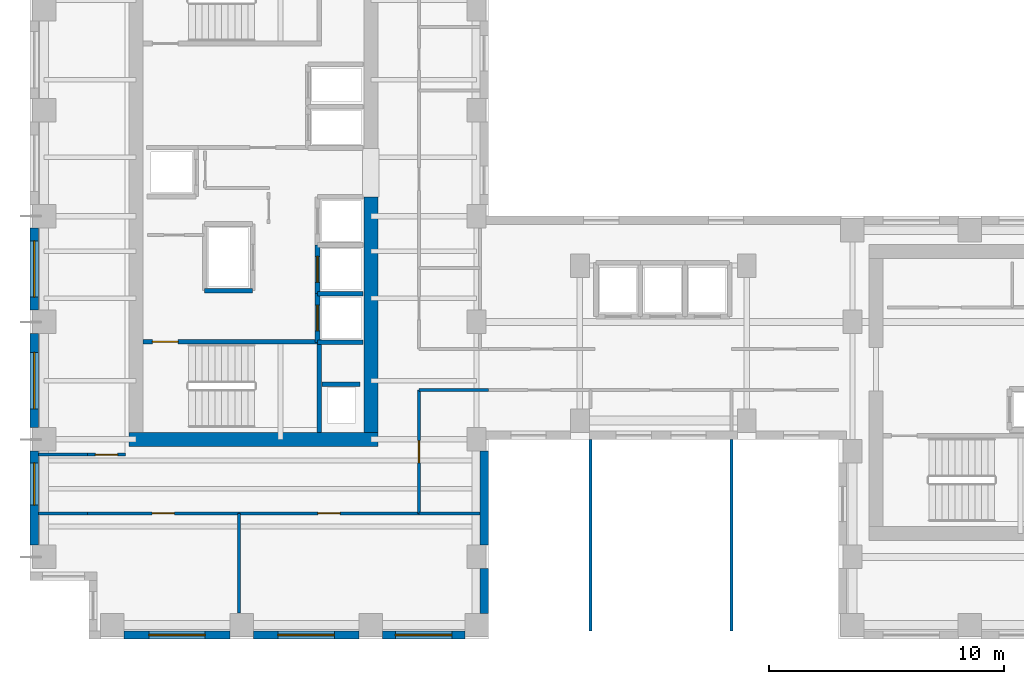
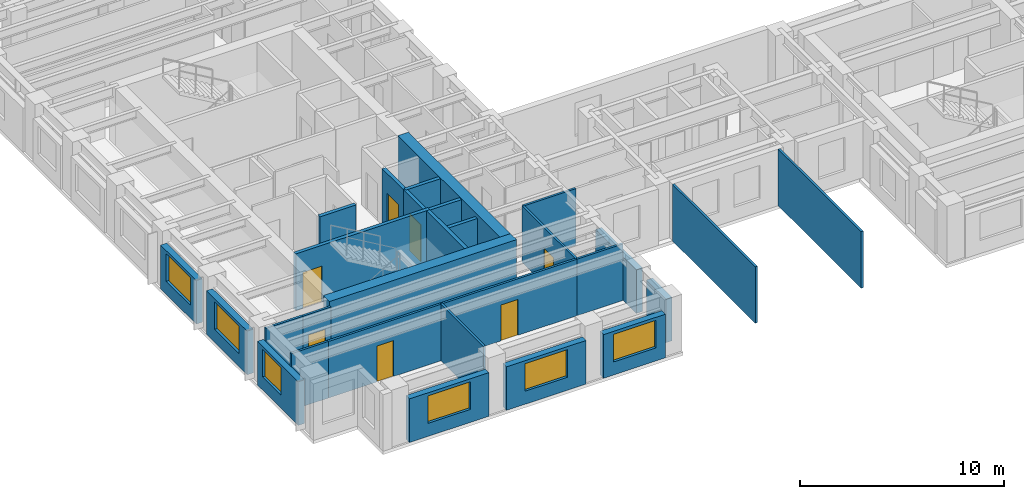
# One storey, part 3 of 11: 29 walls, 7 doors, 6 windows, 13 openings.
"""IFC4 building model written with IfcOpenShell, lengths in metres."""

from ifc_helpers import new_model, si_unit, direction, frame, frame_2d, origin, place, context, subcontext, project, spatial, rectangle, extrude, source, transform, mapped, material, layer, layer_set, type_object, element, fill, save


model = new_model("IFC4")

# Units and contexts
model_context = context("Model", 3, precision=1e-05, world=origin(), true_north=direction((0.0, 1.0)))
body_context = subcontext(model_context, "Body", "Model", "MODEL_VIEW")
ifc_project = project(units=[si_unit("LENGTHUNIT", "METRE"), si_unit("AREAUNIT", "SQUARE_METRE"), si_unit("VOLUMEUNIT", "CUBIC_METRE"), si_unit("PLANEANGLEUNIT", "RADIAN"), si_unit("MASSUNIT", "GRAM", prefix="KILO")], contexts=[model_context])

# Site, building, storey
site_placement = place(None, origin())
site = spatial("IfcSite", under=ifc_project, at=site_placement, CompositionType="ELEMENT")
building_placement = place(site_placement, origin())
building = spatial("IfcBuilding", under=site, at=building_placement, Name="Kharzan Plaza Tower", CompositionType="ELEMENT")
storey_placement = place(building_placement, frame((0.0, 0.0, 186.300048828125)))
storey = spatial("IfcBuildingStorey", under=building, at=storey_placement, Name="L50", CompositionType="ELEMENT", Elevation=186.300048828125)

# Wall, opening, window
ifc_material_1 = material(Name="Concrete C40/50", Category="concrete")
ifc_layer_1 = layer(ifc_material_1, 0.35009765625)
ifc_layer_set_1 = layer_set([ifc_layer_1], Name="Concrete C40/50")
wall_type_1 = type_object("IfcWallType", Name="WL-EXT-MAS-Z3", PredefinedType="SOLIDWALL", material=ifc_layer_set_1)
wall_1_placement = place(storey_placement, frame((0.175048828125, 17.501953125, 0.0), z_axis=(0.0, 0.0, 1.0), x_axis=(0.0, -1.0, 0.0)))
wall_1 = element("IfcWall", 1, at=wall_1_placement, inside=storey, type_object=wall_type_1, Name="L50 Masonry-Frame Exterior Wall 15", PredefinedType="SOLIDWALL", context=body_context, shape_type="SweptSolid", body=[
    extrude(rectangle(XDim=3.50390625, YDim=0.35009765625, at=frame_2d((1.751953125, 0.0))), origin(), (0.0, 0.0, 1.0), 2.612060546875),
])
opening_1_placement = place(wall_1_placement, frame((0.552001953125, 0.0, 0.780029296875)))
opening_1 = element("IfcOpeningElement", 2, at=opening_1_placement, cuts=wall_1, Name="Opening W2", PredefinedType="OPENING", context=body_context, shape_type="SweptSolid", body=[
    extrude(rectangle(XDim=2.39990234375, YDim=1.652099609375, at=frame_2d((1.199951171875, 0.826171875))), frame((0.0, 0.18505859375, 0.0), z_axis=(0.0, -1.0, 0.0), x_axis=(1.0, 0.0, 0.0)), (0.0, 0.0, 1.0), 0.3701171875),
])
ifc_material_2 = material(Name="Low-E Double Glazing", Category="glass")
window_type_1 = type_object("IfcWindowType", Name="WN-REC-2400x2100", PartitioningType="SINGLE_PANEL", PredefinedType="WINDOW", material=ifc_material_2)
shared_shape_1 = source(origin(), body_context, "Body", "SweptSolid", [
    extrude(rectangle(XDim=2.39990234375, YDim=1.652099609375, at=frame_2d((1.199951171875, 0.826171875))), frame((0.0, 0.030029296875, 0.0), z_axis=(0.0, -1.0, 0.0), x_axis=(1.0, 0.0, 0.0)), (0.0, 0.0, 1.0), 0.06005859375),
])
window_1_placement = place(opening_1_placement, origin())
window_1 = element("IfcWindow", 3, at=window_1_placement, inside=storey, type_object=window_type_1, Name="L50 Wide Recessed Solar-Control Window 15-1", OverallHeight=1.652099609375, OverallWidth=2.39990234375, PartitioningType="SINGLE_PANEL", PredefinedType="WINDOW", context=body_context, shape_type="MappedRepresentation", body=[
    mapped(shared_shape_1, transform((0.0, 0.0, 0.0), x_axis=(1.0, 0.0, 0.0), y_axis=(0.0, 1.0, 0.0), z_axis=(0.0, 0.0, 1.0))),
])
fill(opening_1, window_1)

wall_2_placement = place(storey_placement, frame((0.175048828125, 13.001953125, 0.0), z_axis=(0.0, 0.0, 1.0), x_axis=(0.0, -1.0, 0.0)))
wall_2 = element("IfcWall", 4, at=wall_2_placement, inside=storey, type_object=wall_type_1, Name="L50 Masonry-Frame Exterior Wall 16", PredefinedType="SOLIDWALL", context=body_context, shape_type="SweptSolid", body=[
    extrude(rectangle(XDim=4.00390625, YDim=0.35009765625, at=frame_2d((2.001953125, 0.0))), origin(), (0.0, 0.0, 1.0), 2.612060546875),
])
opening_2_placement = place(wall_2_placement, frame((0.802001953125, 0.0, 0.780029296875)))
opening_2 = element("IfcOpeningElement", 5, at=opening_2_placement, cuts=wall_2, Name="Opening W2", PredefinedType="OPENING", context=body_context, shape_type="SweptSolid", body=[
    extrude(rectangle(XDim=2.39990234375, YDim=1.652099609375, at=frame_2d((1.199951171875, 0.826171875))), frame((0.0, 0.18505859375, 0.0), z_axis=(0.0, -1.0, 0.0), x_axis=(1.0, 0.0, 0.0)), (0.0, 0.0, 1.0), 0.3701171875),
])
window_2_placement = place(opening_2_placement, origin())
window_2 = element("IfcWindow", 6, at=window_2_placement, inside=storey, type_object=window_type_1, Name="L50 Wide Recessed Solar-Control Window 16-1", OverallHeight=1.652099609375, OverallWidth=2.39990234375, PartitioningType="SINGLE_PANEL", PredefinedType="WINDOW", context=body_context, shape_type="MappedRepresentation", body=[
    mapped(shared_shape_1, transform((0.0, 0.0, 0.0), x_axis=(1.0, 0.0, 0.0), y_axis=(0.0, 1.0, 0.0), z_axis=(0.0, 0.0, 1.0))),
])
fill(opening_2, window_2)

wall_3_placement = place(storey_placement, frame((0.175048828125, 8.001953125, 0.0), z_axis=(0.0, 0.0, 1.0), x_axis=(0.0, -1.0, 0.0)))
wall_3 = element("IfcWall", 7, at=wall_3_placement, inside=storey, type_object=wall_type_1, Name="L50 Masonry-Frame Exterior Wall 17", PredefinedType="SOLIDWALL", context=body_context, shape_type="SweptSolid", body=[
    extrude(rectangle(XDim=4.00390625, YDim=0.35009765625, at=frame_2d((2.001953125, 0.0))), origin(), (0.0, 0.0, 1.0), 2.612060546875),
])
opening_3_placement = place(wall_3_placement, frame((0.501953125, 0.0, 0.780029296875)))
opening_3 = element("IfcOpeningElement", 8, at=opening_3_placement, cuts=wall_3, Name="Opening W1", PredefinedType="OPENING", context=body_context, shape_type="SweptSolid", body=[
    extrude(rectangle(XDim=1.800048828125, YDim=1.652099609375, at=frame_2d((0.89990234375, 0.826171875))), frame((0.0, 0.18505859375, 0.0), z_axis=(0.0, -1.0, 0.0), x_axis=(1.0, 0.0, 0.0)), (0.0, 0.0, 1.0), 0.3701171875),
])
window_type_2 = type_object("IfcWindowType", Name="WN-REC-1800x2100", PartitioningType="SINGLE_PANEL", PredefinedType="WINDOW", material=ifc_material_2)
shared_shape_2 = source(origin(), body_context, "Body", "SweptSolid", [
    extrude(rectangle(XDim=1.800048828125, YDim=1.652099609375, at=frame_2d((0.89990234375, 0.826171875))), frame((0.0, 0.030029296875, 0.0), z_axis=(0.0, -1.0, 0.0), x_axis=(1.0, 0.0, 0.0)), (0.0, 0.0, 1.0), 0.06005859375),
])
window_3_placement = place(opening_3_placement, origin())
window_3 = element("IfcWindow", 9, at=window_3_placement, inside=storey, type_object=window_type_2, Name="L50 Recessed Solar-Control Window 17-1", OverallHeight=1.652099609375, OverallWidth=1.800048828125, PartitioningType="SINGLE_PANEL", PredefinedType="WINDOW", context=body_context, shape_type="MappedRepresentation", body=[
    mapped(shared_shape_2, transform((0.0, 0.0, 0.0), x_axis=(1.0, 0.0, 0.0), y_axis=(0.0, 1.0, 0.0), z_axis=(0.0, 0.0, 1.0))),
])
fill(opening_3, window_3)

wall_4_placement = place(storey_placement, frame((3.998046875, 0.175048828125, 0.0), z_axis=(0.0, 0.0, 1.0), x_axis=(1.0, 0.0, 0.0)))
wall_4 = element("IfcWall", 10, at=wall_4_placement, inside=storey, type_object=wall_type_1, Name="L50 Masonry-Frame Exterior Wall 21", PredefinedType="SOLIDWALL", context=body_context, shape_type="SweptSolid", body=[
    extrude(rectangle(XDim=4.50390625, YDim=0.35009765625, at=frame_2d((2.251953125, 0.0))), origin(), (0.0, 0.0, 1.0), 2.612060546875),
])
opening_4_placement = place(wall_4_placement, frame((1.052001953125, 0.0, 0.780029296875)))
opening_4 = element("IfcOpeningElement", 11, at=opening_4_placement, cuts=wall_4, Name="Opening W2", PredefinedType="OPENING", context=body_context, shape_type="SweptSolid", body=[
    extrude(rectangle(XDim=2.39990234375, YDim=1.652099609375, at=frame_2d((1.199951171875, 0.826171875))), frame((0.0, 0.18505859375, 0.0), z_axis=(0.0, -1.0, 0.0), x_axis=(1.0, 0.0, 0.0)), (0.0, 0.0, 1.0), 0.3701171875),
])
window_4_placement = place(opening_4_placement, origin())
window_4 = element("IfcWindow", 12, at=window_4_placement, inside=storey, type_object=window_type_1, Name="L50 Wide Recessed Solar-Control Window 21-1", OverallHeight=1.652099609375, OverallWidth=2.39990234375, PartitioningType="SINGLE_PANEL", PredefinedType="WINDOW", context=body_context, shape_type="MappedRepresentation", body=[
    mapped(shared_shape_1, transform((0.0, 0.0, 0.0), x_axis=(1.0, 0.0, 0.0), y_axis=(0.0, 1.0, 0.0), z_axis=(0.0, 0.0, 1.0))),
])
fill(opening_4, window_4)

wall_5_placement = place(storey_placement, frame((9.498046875, 0.175048828125, 0.0), z_axis=(0.0, 0.0, 1.0), x_axis=(1.0, 0.0, 0.0)))
wall_5 = element("IfcWall", 13, at=wall_5_placement, inside=storey, type_object=wall_type_1, Name="L50 Masonry-Frame Exterior Wall 22", PredefinedType="SOLIDWALL", context=body_context, shape_type="SweptSolid", body=[
    extrude(rectangle(XDim=4.50390625, YDim=0.35009765625, at=frame_2d((2.251953125, 0.0))), origin(), (0.0, 0.0, 1.0), 2.612060546875),
])
opening_5_placement = place(wall_5_placement, frame((1.052001953125, 0.0, 0.780029296875)))
opening_5 = element("IfcOpeningElement", 14, at=opening_5_placement, cuts=wall_5, Name="Opening W2", PredefinedType="OPENING", context=body_context, shape_type="SweptSolid", body=[
    extrude(rectangle(XDim=2.39990234375, YDim=1.652099609375, at=frame_2d((1.199951171875, 0.826171875))), frame((0.0, 0.18505859375, 0.0), z_axis=(0.0, -1.0, 0.0), x_axis=(1.0, 0.0, 0.0)), (0.0, 0.0, 1.0), 0.3701171875),
])
window_5_placement = place(opening_5_placement, origin())
window_5 = element("IfcWindow", 15, at=window_5_placement, inside=storey, type_object=window_type_1, Name="L50 Wide Recessed Solar-Control Window 22-1", OverallHeight=1.652099609375, OverallWidth=2.39990234375, PartitioningType="SINGLE_PANEL", PredefinedType="WINDOW", context=body_context, shape_type="MappedRepresentation", body=[
    mapped(shared_shape_1, transform((0.0, 0.0, 0.0), x_axis=(1.0, 0.0, 0.0), y_axis=(0.0, 1.0, 0.0), z_axis=(0.0, 0.0, 1.0))),
])
fill(opening_5, window_5)

wall_6_placement = place(storey_placement, frame((14.998046875, 0.175048828125, 0.0), z_axis=(0.0, 0.0, 1.0), x_axis=(1.0, 0.0, 0.0)))
wall_6 = element("IfcWall", 16, at=wall_6_placement, inside=storey, type_object=wall_type_1, Name="L50 Masonry-Frame Exterior Wall 23", PredefinedType="SOLIDWALL", context=body_context, shape_type="SweptSolid", body=[
    extrude(rectangle(XDim=3.50390625, YDim=0.35009765625, at=frame_2d((1.751953125, 0.0))), origin(), (0.0, 0.0, 1.0), 2.612060546875),
])
opening_6_placement = place(wall_6_placement, frame((0.552001953125, 0.0, 0.780029296875)))
opening_6 = element("IfcOpeningElement", 17, at=opening_6_placement, cuts=wall_6, Name="Opening W2", PredefinedType="OPENING", context=body_context, shape_type="SweptSolid", body=[
    extrude(rectangle(XDim=2.39990234375, YDim=1.652099609375, at=frame_2d((1.199951171875, 0.826171875))), frame((0.0, 0.18505859375, 0.0), z_axis=(0.0, -1.0, 0.0), x_axis=(1.0, 0.0, 0.0)), (0.0, 0.0, 1.0), 0.3701171875),
])
window_6_placement = place(opening_6_placement, origin())
window_6 = element("IfcWindow", 18, at=window_6_placement, inside=storey, type_object=window_type_1, Name="L50 Wide Recessed Solar-Control Window 23-1", OverallHeight=1.652099609375, OverallWidth=2.39990234375, PartitioningType="SINGLE_PANEL", PredefinedType="WINDOW", context=body_context, shape_type="MappedRepresentation", body=[
    mapped(shared_shape_1, transform((0.0, 0.0, 0.0), x_axis=(1.0, 0.0, 0.0), y_axis=(0.0, 1.0, 0.0), z_axis=(0.0, 0.0, 1.0))),
])
fill(opening_6, window_6)

# Wall, opening, door
ifc_material_3 = material(Name="Fire-Rated Gypsum Board Partition", Category="gypsum")
ifc_layer_2 = layer(ifc_material_3, 0.125)
ifc_layer_set_2 = layer_set([ifc_layer_2], Name="Fire-Rated Gypsum Board Partition")
wall_type_2 = type_object("IfcWallType", Name="WL-INT-PART-125", PredefinedType="PARTITIONING", material=ifc_layer_set_2)
wall_7_placement = place(storey_placement, frame((16.550048828125, 5.35009765625, 0.0), z_axis=(0.0, 0.0, 1.0), x_axis=(0.0, 1.0, 0.0)))
wall_7 = element("IfcWall", 19, at=wall_7_placement, inside=storey, type_object=wall_type_2, Name="L50 Interior Partition SH-AEWS", PredefinedType="PARTITIONING", context=body_context, shape_type="SweptSolid", body=[
    extrude(rectangle(XDim=5.25, YDim=0.125, at=frame_2d((2.625, 0.0))), origin(), (0.0, 0.0, 1.0), 3.385009765625),
])
opening_7_placement = place(wall_7_placement, frame((2.14990234375, 0.0, 0.0)))
opening_7 = element("IfcOpeningElement", 20, at=opening_7_placement, cuts=wall_7, Name="Opening OD1", PredefinedType="OPENING", context=body_context, shape_type="SweptSolid", body=[
    extrude(rectangle(XDim=0.949951171875, YDim=2.14990234375, at=frame_2d((0.47509765625, 1.074951171875))), frame((0.0, 0.072509765625, 0.0), z_axis=(0.0, -1.0, 0.0), x_axis=(1.0, 0.0, 0.0)), (0.0, 0.0, 1.0), 0.14501953125),
])
ifc_material_4 = material(Name="Acoustic Solid-Core Stained Oak", Category="timber")
door_type_1 = type_object("IfcDoorType", Name="DR-OFF-SINGLE", OperationType="NOTDEFINED", PredefinedType="DOOR", material=ifc_material_4)
shared_shape_3 = source(origin(), body_context, "Body", "SweptSolid", [
    extrude(rectangle(XDim=0.949951171875, YDim=2.14990234375, at=frame_2d((0.47509765625, 1.074951171875))), frame((0.0, 0.02490234375, 0.0), z_axis=(0.0, -1.0, 0.0), x_axis=(1.0, 0.0, 0.0)), (0.0, 0.0, 1.0), 0.050048828125),
])
door_1_placement = place(opening_7_placement, origin())
door_1 = element("IfcDoor", 21, at=door_1_placement, inside=storey, type_object=door_type_1, Name="L50 Slot South Office Door", OperationType="SINGLE_SWING_RIGHT", OverallHeight=2.14990234375, OverallWidth=0.949951171875, PredefinedType="DOOR", context=body_context, shape_type="MappedRepresentation", body=[
    mapped(shared_shape_3, transform((0.0, 0.0, 0.0), x_axis=(1.0, 0.0, 0.0), y_axis=(0.0, 1.0, 0.0), z_axis=(0.0, 0.0, 1.0))),
])
fill(opening_7, door_1)

wall_8_placement = place(storey_placement, frame((2.449951171875, 7.85009765625, 0.0), z_axis=(0.0, 0.0, 1.0), x_axis=(1.0, 0.0, 0.0)))
wall_8 = element("IfcWall", 22, at=wall_8_placement, inside=storey, type_object=wall_type_2, Name="L50 Interior Partition SH-RWSD", PredefinedType="PARTITIONING", context=body_context, shape_type="SweptSolid", body=[
    extrude(rectangle(XDim=1.60009765625, YDim=0.125, at=frame_2d((0.800048828125, 0.0))), origin(), (0.0, 0.0, 1.0), 3.385009765625),
])
opening_8_placement = place(wall_8_placement, frame((0.324951171875, 0.0, 0.0)))
opening_8 = element("IfcOpeningElement", 23, at=opening_8_placement, cuts=wall_8, Name="Opening OD1", PredefinedType="OPENING", context=body_context, shape_type="SweptSolid", body=[
    extrude(rectangle(XDim=0.949951171875, YDim=2.14990234375, at=frame_2d((0.47509765625, 1.074951171875))), frame((0.0, 0.072509765625, 0.0), z_axis=(0.0, -1.0, 0.0), x_axis=(1.0, 0.0, 0.0)), (0.0, 0.0, 1.0), 0.14501953125),
])
door_2_placement = place(opening_8_placement, origin())
door_2 = element("IfcDoor", 24, at=door_2_placement, inside=storey, type_object=door_type_1, Name="L50 West Studio South Door", OperationType="SINGLE_SWING_RIGHT", OverallHeight=2.14990234375, OverallWidth=0.949951171875, PredefinedType="DOOR", context=body_context, shape_type="MappedRepresentation", body=[
    mapped(shared_shape_3, transform((0.0, 0.0, 0.0), x_axis=(1.0, 0.0, 0.0), y_axis=(0.0, 1.0, 0.0), z_axis=(0.0, 0.0, 1.0))),
])
fill(opening_8, door_2)

wall_9_placement = place(storey_placement, frame((2.449951171875, 5.35009765625, 0.0), z_axis=(0.0, 0.0, 1.0), x_axis=(1.0, 0.0, 0.0)))
wall_9 = element("IfcWall", 25, at=wall_9_placement, inside=storey, type_object=wall_type_2, Name="L50 Interior Partition SH-SS-1", PredefinedType="PARTITIONING", context=body_context, shape_type="SweptSolid", body=[
    extrude(rectangle(XDim=6.43896484375, YDim=0.125, at=frame_2d((3.219482421875, 0.0))), origin(), (0.0, 0.0, 1.0), 3.385009765625),
])
opening_9_placement = place(wall_9_placement, frame((2.744384765625, 0.0, 0.0)))
opening_9 = element("IfcOpeningElement", 26, at=opening_9_placement, cuts=wall_9, Name="Opening OD1", PredefinedType="OPENING", context=body_context, shape_type="SweptSolid", body=[
    extrude(rectangle(XDim=0.949951171875, YDim=2.14990234375, at=frame_2d((0.47509765625, 1.074951171875))), frame((0.0, 0.072509765625, 0.0), z_axis=(0.0, -1.0, 0.0), x_axis=(1.0, 0.0, 0.0)), (0.0, 0.0, 1.0), 0.14501953125),
])
door_3_placement = place(opening_9_placement, origin())
door_3 = element("IfcDoor", 27, at=door_3_placement, inside=storey, type_object=door_type_1, Name="L50 Data Processing Office Door", OperationType="SINGLE_SWING_LEFT", OverallHeight=2.14990234375, OverallWidth=0.949951171875, PredefinedType="DOOR", context=body_context, shape_type="MappedRepresentation", body=[
    mapped(shared_shape_3, transform((0.0, 0.0, 0.0), x_axis=(1.0, 0.0, 0.0), y_axis=(0.0, 1.0, 0.0), z_axis=(0.0, 0.0, 1.0))),
])
fill(opening_9, door_3)

wall_10_placement = place(storey_placement, frame((8.888916015625, 5.35009765625, 0.0), z_axis=(0.0, 0.0, 1.0), x_axis=(1.0, 0.0, 0.0)))
wall_10 = element("IfcWall", 28, at=wall_10_placement, inside=storey, type_object=wall_type_2, Name="L50 Interior Partition SH-SS-2", PredefinedType="PARTITIONING", context=body_context, shape_type="SweptSolid", body=[
    extrude(rectangle(XDim=7.6611328125, YDim=0.125, at=frame_2d((3.83056640625, 0.0))), origin(), (0.0, 0.0, 1.0), 3.385009765625),
])
opening_10_placement = place(wall_10_placement, frame((3.35546875, 0.0, 0.0)))
opening_10 = element("IfcOpeningElement", 29, at=opening_10_placement, cuts=wall_10, Name="Opening OD1", PredefinedType="OPENING", context=body_context, shape_type="SweptSolid", body=[
    extrude(rectangle(XDim=0.949951171875, YDim=2.14990234375, at=frame_2d((0.47509765625, 1.074951171875))), frame((0.0, 0.072509765625, 0.0), z_axis=(0.0, -1.0, 0.0), x_axis=(1.0, 0.0, 0.0)), (0.0, 0.0, 1.0), 0.14501953125),
])
door_4_placement = place(opening_10_placement, origin())
door_4 = element("IfcDoor", 30, at=door_4_placement, inside=storey, type_object=door_type_1, Name="L50 Staff Tea Pantry Door", OperationType="SINGLE_SWING_RIGHT", OverallHeight=2.14990234375, OverallWidth=0.949951171875, PredefinedType="DOOR", context=body_context, shape_type="MappedRepresentation", body=[
    mapped(shared_shape_3, transform((0.0, 0.0, 0.0), x_axis=(1.0, 0.0, 0.0), y_axis=(0.0, 1.0, 0.0), z_axis=(0.0, 0.0, 1.0))),
])
fill(opening_10, door_4)

ifc_layer_3 = layer(ifc_material_1, 0.199951171875)
ifc_layer_set_3 = layer_set([ifc_layer_3], Name="Concrete C40/50")
wall_type_3 = type_object("IfcWallType", Name="WL-INT-SHAFT-200", PredefinedType="PARTITIONING", material=ifc_layer_set_3)
wall_11_placement = place(storey_placement, frame((12.22998046875, 12.6298828125, 0.0), z_axis=(0.0, 0.0, 1.0), x_axis=(0.0, 1.0, 0.0)))
wall_11 = element("IfcWall", 31, at=wall_11_placement, inside=storey, type_object=wall_type_3, Name="L50 Interior Partition SHF-PL-H1-W", PredefinedType="PARTITIONING", context=body_context, shape_type="SweptSolid", body=[
    extrude(rectangle(XDim=2.070068359375, YDim=0.199951171875, at=frame_2d((1.03515625, 0.0))), origin(), (0.0, 0.0, 1.0), 3.385009765625),
])
opening_11_placement = place(wall_11_placement, frame((0.485107421875, 0.0, 0.0)))
opening_11 = element("IfcOpeningElement", 32, at=opening_11_placement, cuts=wall_11, Name="Opening LD", PredefinedType="OPENING", context=body_context, shape_type="SweptSolid", body=[
    extrude(rectangle(XDim=1.10009765625, YDim=2.199951171875, at=frame_2d((0.550048828125, 1.10009765625))), frame((0.0, 0.10986328125, 0.0), z_axis=(0.0, -1.0, 0.0), x_axis=(1.0, 0.0, 0.0)), (0.0, 0.0, 1.0), 0.219970703125),
])
ifc_material_5 = material(Name="Brushed Stainless Steel", Category="steel")
door_type_2 = type_object("IfcDoorType", Name="DR-LIFT-SLIDE", OperationType="SLIDING_TO_LEFT", PredefinedType="DOOR", material=ifc_material_5)
shared_shape_4 = source(origin(), body_context, "Body", "SweptSolid", [
    extrude(rectangle(XDim=1.10009765625, YDim=2.199951171875, at=frame_2d((0.550048828125, 1.10009765625))), frame((0.0, 0.02490234375, 0.0), z_axis=(0.0, -1.0, 0.0), x_axis=(1.0, 0.0, 0.0)), (0.0, 0.0, 1.0), 0.050048828125),
])
door_5_placement = place(opening_11_placement, origin())
door_5 = element("IfcDoor", 33, at=door_5_placement, inside=storey, type_object=door_type_2, Name="L50 High-Rise Passenger Lift PL-H1 Sliding Landing Door", OperationType="SLIDING_TO_LEFT", OverallHeight=2.199951171875, OverallWidth=1.10009765625, PredefinedType="DOOR", context=body_context, shape_type="MappedRepresentation", body=[
    mapped(shared_shape_4, transform((0.0, 0.0, 0.0), x_axis=(1.0, 0.0, 0.0), y_axis=(0.0, 1.0, 0.0), z_axis=(0.0, 0.0, 1.0))),
])
fill(opening_11, door_5)

wall_12_placement = place(storey_placement, frame((12.22998046875, 14.699951171875, 0.0), z_axis=(0.0, 0.0, 1.0), x_axis=(0.0, 1.0, 0.0)))
wall_12 = element("IfcWall", 34, at=wall_12_placement, inside=storey, type_object=wall_type_3, Name="L50 Interior Partition SHF-PL-H2-W", PredefinedType="PARTITIONING", context=body_context, shape_type="SweptSolid", body=[
    extrude(rectangle(XDim=2.070068359375, YDim=0.199951171875, at=frame_2d((1.03515625, 0.0))), origin(), (0.0, 0.0, 1.0), 3.385009765625),
])
opening_12_placement = place(wall_12_placement, frame((0.485107421875, 0.0, 0.0)))
opening_12 = element("IfcOpeningElement", 35, at=opening_12_placement, cuts=wall_12, Name="Opening LD", PredefinedType="OPENING", context=body_context, shape_type="SweptSolid", body=[
    extrude(rectangle(XDim=1.10009765625, YDim=2.199951171875, at=frame_2d((0.550048828125, 1.10009765625))), frame((0.0, 0.10986328125, 0.0), z_axis=(0.0, -1.0, 0.0), x_axis=(1.0, 0.0, 0.0)), (0.0, 0.0, 1.0), 0.219970703125),
])
door_6_placement = place(opening_12_placement, origin())
door_6 = element("IfcDoor", 36, at=door_6_placement, inside=storey, type_object=door_type_2, Name="L50 High-Rise Passenger Lift PL-H2 Sliding Landing Door", OperationType="SLIDING_TO_LEFT", OverallHeight=2.199951171875, OverallWidth=1.10009765625, PredefinedType="DOOR", context=body_context, shape_type="MappedRepresentation", body=[
    mapped(shared_shape_4, transform((0.0, 0.0, 0.0), x_axis=(1.0, 0.0, 0.0), y_axis=(0.0, 1.0, 0.0), z_axis=(0.0, 0.0, 1.0))),
])
fill(opening_12, door_6)

ifc_material_6 = material(Name="Concrete C50/60", Category="concrete")
ifc_layer_4 = layer(ifc_material_6, 0.199951171875)
ifc_layer_set_4 = layer_set([ifc_layer_4], Name="Concrete C50/60")
wall_type_4 = type_object("IfcWallType", Name="WL-SHAFT-RC200", PredefinedType="SHEAR", material=ifc_layer_set_4)
wall_13_placement = place(storey_placement, frame((4.802001953125, 12.655029296875, 0.0), z_axis=(0.0, 0.0, 1.0), x_axis=(1.0, 0.0, 0.0)))
wall_13 = element("IfcWall", 37, at=wall_13_placement, inside=storey, type_object=wall_type_4, Name="L50 Stair ST-1 North RC Shaft Wall", PredefinedType="SHEAR", context=body_context, shape_type="SweptSolid", body=[
    extrude(rectangle(XDim=7.60302734375, YDim=0.199951171875, at=frame_2d((3.801513671875, 0.0))), origin(), (0.0, 0.0, 1.0), 3.39990234375),
])
opening_13_placement = place(wall_13_placement, frame((0.39990234375, 0.0, 0.0)))
opening_13 = element("IfcOpeningElement", 38, at=opening_13_placement, cuts=wall_13, Name="Opening SD1", PredefinedType="OPENING", context=body_context, shape_type="SweptSolid", body=[
    extrude(rectangle(XDim=1.10009765625, YDim=2.14990234375, at=frame_2d((0.550048828125, 1.074951171875))), frame((0.0, 0.10986328125, 0.0), z_axis=(0.0, -1.0, 0.0), x_axis=(1.0, 0.0, 0.0)), (0.0, 0.0, 1.0), 0.219970703125),
])
ifc_material_7 = material(Name="Fire-Rated Hollow Galvanized Steel", Category="steel")
door_type_3 = type_object("IfcDoorType", Name="DR-STAIR-FD120", OperationType="NOTDEFINED", PredefinedType="DOOR", material=ifc_material_7)
shared_shape_5 = source(origin(), body_context, "Body", "SweptSolid", [
    extrude(rectangle(XDim=1.10009765625, YDim=2.14990234375, at=frame_2d((0.550048828125, 1.074951171875))), frame((0.0, 0.02490234375, 0.0), z_axis=(0.0, -1.0, 0.0), x_axis=(1.0, 0.0, 0.0)), (0.0, 0.0, 1.0), 0.050048828125),
])
door_7_placement = place(opening_13_placement, origin())
door_7 = element("IfcDoor", 39, at=door_7_placement, inside=storey, type_object=door_type_3, Name="L50 Stair ST-1 Fire Exit Door", OperationType="SINGLE_SWING_LEFT", OverallHeight=2.14990234375, OverallWidth=1.10009765625, PredefinedType="DOOR", context=body_context, shape_type="MappedRepresentation", body=[
    mapped(shared_shape_5, transform((0.0, 0.0, 0.0), x_axis=(1.0, 0.0, 0.0), y_axis=(0.0, 1.0, 0.0), z_axis=(0.0, 0.0, 1.0))),
])
fill(opening_13, door_7)

# Walls
ifc_layer_5 = layer(ifc_material_6, 0.60009765625)
ifc_layer_set_5 = layer_set([ifc_layer_5], Name="Concrete C50/60")
wall_type_5 = type_object("IfcWallType", Name="WL-CORE-600", PredefinedType="SHEAR", material=ifc_layer_set_5)
shared_shape_6 = source(origin(), body_context, "Body", "SweptSolid", [
    extrude(rectangle(XDim=10.02001953125, YDim=0.60009765625, at=frame_2d((5.010009765625, 0.0))), origin(), (0.0, 0.0, 1.0), 3.39990234375),
])
wall_14_placement = place(storey_placement, frame((14.5, 8.800048828125, 0.0), z_axis=(0.0, 0.0, 1.0), x_axis=(0.0, 1.0, 0.0)))
element("IfcWall", 40, at=wall_14_placement, inside=storey, type_object=wall_type_5, Name="L50 CORE-A east shear pier 1", PredefinedType="SHEAR", context=body_context, shape_type="MappedRepresentation", body=[
    mapped(shared_shape_6, transform((0.0, 0.0, 0.0), x_axis=(1.0, 0.0, 0.0), y_axis=(0.0, 1.0, 0.0), z_axis=(0.0, 0.0, 1.0))),
])
shared_shape_7 = source(origin(), body_context, "Body", "SweptSolid", [
    extrude(rectangle(XDim=10.60009765625, YDim=0.60009765625, at=frame_2d((5.300048828125, 0.0))), origin(), (0.0, 0.0, 1.0), 3.39990234375),
])
wall_15_placement = place(storey_placement, frame((4.199951171875, 8.5, 0.0), z_axis=(0.0, 0.0, 1.0), x_axis=(1.0, 0.0, 0.0)))
element("IfcWall", 41, at=wall_15_placement, inside=storey, type_object=wall_type_5, Name="L50 CORE-A south RC shear wall", PredefinedType="SHEAR", context=body_context, shape_type="MappedRepresentation", body=[
    mapped(shared_shape_7, transform((0.0, 0.0, 0.0), x_axis=(1.0, 0.0, 0.0), y_axis=(0.0, 1.0, 0.0), z_axis=(0.0, 0.0, 1.0))),
])
shared_shape_8 = source(origin(), body_context, "Body", "SweptSolid", [
    extrude(rectangle(XDim=2.097900390625, YDim=0.125, at=frame_2d((1.048828125, 0.0))), origin(), (0.0, 0.0, 1.0), 3.385009765625),
])
for number, where, z_axis, x_axis, name in (
    (42, (0.35205078125, 7.85009765625, 0.0), (0.0, 0.0, 1.0), (1.0, 0.0, 0.0), "L50 Interior Partition SH-RWS0"),
    (43, (0.35205078125, 5.35009765625, 0.0), (0.0, 0.0, 1.0), (1.0, 0.0, 0.0), "L50 Interior Partition SH-SS-EXT"),
):
    element("IfcWall", number, at=place(storey_placement, frame(where, z_axis=z_axis, x_axis=x_axis)), inside=storey, type_object=wall_type_2, Name=name, PredefinedType="PARTITIONING", context=body_context, shape_type="MappedRepresentation", body=[
        mapped(shared_shape_8, transform((0.0, 0.0, 0.0), x_axis=(1.0, 0.0, 0.0), y_axis=(0.0, 1.0, 0.0), z_axis=(0.0, 0.0, 1.0))),
    ])
shared_shape_9 = source(origin(), body_context, "Body", "SweptSolid", [
    extrude(rectangle(XDim=1.630126953125, YDim=0.199951171875, at=frame_2d((0.81494140625, 0.0))), origin(), (0.0, 0.0, 1.0), 3.385009765625),
])
wall_16_placement = place(storey_placement, frame((12.419921875, 10.85009765625, 0.0), z_axis=(0.0, 0.0, 1.0), x_axis=(1.0, 0.0, 0.0)))
element("IfcWall", 44, at=wall_16_placement, inside=storey, type_object=wall_type_3, Name="L50 Interior Partition CA-RSRA-N", PredefinedType="PARTITIONING", context=body_context, shape_type="MappedRepresentation", body=[
    mapped(shared_shape_9, transform((0.0, 0.0, 0.0), x_axis=(1.0, 0.0, 0.0), y_axis=(0.0, 1.0, 0.0), z_axis=(0.0, 0.0, 1.0))),
])
shared_shape_10 = source(origin(), body_context, "Body", "SweptSolid", [
    extrude(rectangle(XDim=1.93994140625, YDim=0.199951171875, at=frame_2d((0.969970703125, 0.0))), origin(), (0.0, 0.0, 1.0), 3.385009765625),
])
for number, where, z_axis, x_axis, name in (
    (45, (12.22998046875, 14.699951171875, 0.0), (0.0, 0.0, 1.0), (1.0, 0.0, 0.0), "L50 Interior Partition SHF-PL-H1-N"),
    (46, (12.22998046875, 12.6298828125, 0.0), (0.0, 0.0, 1.0), (1.0, 0.0, 0.0), "L50 Interior Partition SHF-PL-H1-S"),
):
    element("IfcWall", number, at=place(storey_placement, frame(where, z_axis=z_axis, x_axis=x_axis)), inside=storey, type_object=wall_type_3, Name=name, PredefinedType="PARTITIONING", context=body_context, shape_type="MappedRepresentation", body=[
        mapped(shared_shape_10, transform((0.0, 0.0, 0.0), x_axis=(1.0, 0.0, 0.0), y_axis=(0.0, 1.0, 0.0), z_axis=(0.0, 0.0, 1.0))),
    ])
shared_shape_11 = source(origin(), body_context, "Body", "SweptSolid", [
    extrude(rectangle(XDim=2.0400390625, YDim=0.199951171875, at=frame_2d((1.02001953125, 0.0))), origin(), (0.0, 0.0, 1.0), 3.385009765625),
])
wall_17_placement = place(storey_placement, frame((7.429931640625, 14.830078125, 0.0), z_axis=(0.0, 0.0, 1.0), x_axis=(1.0, 0.0, 0.0)))
element("IfcWall", 47, at=wall_17_placement, inside=storey, type_object=wall_type_3, Name="L50 Interior Partition SHF-SVL-1-S", PredefinedType="PARTITIONING", context=body_context, shape_type="MappedRepresentation", body=[
    mapped(shared_shape_11, transform((0.0, 0.0, 0.0), x_axis=(1.0, 0.0, 0.0), y_axis=(0.0, 1.0, 0.0), z_axis=(0.0, 0.0, 1.0))),
])
shared_shape_12 = source(origin(), body_context, "Body", "SweptSolid", [
    extrude(rectangle(XDim=3.7529296875, YDim=0.199951171875, at=frame_2d((1.87646484375, 0.0))), origin(), (0.0, 0.0, 1.0), 3.39990234375),
])
wall_18_placement = place(storey_placement, frame((12.304931640625, 8.802001953125, 0.0), z_axis=(0.0, 0.0, 1.0), x_axis=(0.0, 1.0, 0.0)))
element("IfcWall", 48, at=wall_18_placement, inside=storey, type_object=wall_type_4, Name="L50 Stair ST-1 East RC Shaft Wall", PredefinedType="SHEAR", context=body_context, shape_type="MappedRepresentation", body=[
    mapped(shared_shape_12, transform((0.0, 0.0, 0.0), x_axis=(1.0, 0.0, 0.0), y_axis=(0.0, 1.0, 0.0), z_axis=(0.0, 0.0, 1.0))),
])
shared_shape_13 = source(origin(), body_context, "Body", "SweptSolid", [
    extrude(rectangle(XDim=1.904052734375, YDim=0.35009765625, at=frame_2d((0.9521484375, 0.0))), origin(), (0.0, 0.0, 1.0), 2.612060546875),
])
wall_19_placement = place(storey_placement, frame((19.324951171875, 1.097900390625, 0.0), z_axis=(0.0, 0.0, 1.0), x_axis=(0.0, 1.0, 0.0)))
element("IfcWall", 49, at=wall_19_placement, inside=storey, type_object=wall_type_1, Name="L50 Masonry-Frame Exterior Wall 24", PredefinedType="SOLIDWALL", context=body_context, shape_type="MappedRepresentation", body=[
    mapped(shared_shape_13, transform((0.0, 0.0, 0.0), x_axis=(1.0, 0.0, 0.0), y_axis=(0.0, 1.0, 0.0), z_axis=(0.0, 0.0, 1.0))),
])
shared_shape_14 = source(origin(), body_context, "Body", "SweptSolid", [
    extrude(rectangle(XDim=2.597900390625, YDim=0.125, at=frame_2d((1.298828125, 0.0))), origin(), (0.0, 0.0, 1.0), 3.385009765625),
])
wall_20_placement = place(storey_placement, frame((16.550048828125, 5.35009765625, 0.0), z_axis=(0.0, 0.0, 1.0), x_axis=(1.0, 0.0, 0.0)))
element("IfcWall", 50, at=wall_20_placement, inside=storey, type_object=wall_type_2, Name="L50 Interior Partition SH-SSE-2", PredefinedType="PARTITIONING", context=body_context, shape_type="MappedRepresentation", body=[
    mapped(shared_shape_14, transform((0.0, 0.0, 0.0), x_axis=(1.0, 0.0, 0.0), y_axis=(0.0, 1.0, 0.0), z_axis=(0.0, 0.0, 1.0))),
])
shared_shape_15 = source(origin(), body_context, "Body", "SweptSolid", [
    extrude(rectangle(XDim=2.949951171875, YDim=0.125, at=frame_2d((1.47509765625, 0.0))), origin(), (0.0, 0.0, 1.0), 3.385009765625),
])
wall_21_placement = place(storey_placement, frame((16.550048828125, 10.60009765625, 0.0), z_axis=(0.0, 0.0, 1.0), x_axis=(1.0, 0.0, 0.0)))
element("IfcWall", 51, at=wall_21_placement, inside=storey, type_object=wall_type_2, Name="L50 Interior Partition SH-SPS0", PredefinedType="PARTITIONING", context=body_context, shape_type="MappedRepresentation", body=[
    mapped(shared_shape_15, transform((0.0, 0.0, 0.0), x_axis=(1.0, 0.0, 0.0), y_axis=(0.0, 1.0, 0.0), z_axis=(0.0, 0.0, 1.0))),
])
shared_shape_16 = source(origin(), body_context, "Body", "SweptSolid", [
    extrude(rectangle(XDim=4.00390625, YDim=0.35009765625, at=frame_2d((2.001953125, 0.0))), origin(), (0.0, 0.0, 1.0), 2.612060546875),
])
wall_22_placement = place(storey_placement, frame((19.324951171875, 3.998046875, 0.0), z_axis=(0.0, 0.0, 1.0), x_axis=(0.0, 1.0, 0.0)))
element("IfcWall", 52, at=wall_22_placement, inside=storey, type_object=wall_type_1, Name="L50 Masonry-Frame Exterior Wall 25", PredefinedType="SOLIDWALL", context=body_context, shape_type="MappedRepresentation", body=[
    mapped(shared_shape_16, transform((0.0, 0.0, 0.0), x_axis=(1.0, 0.0, 0.0), y_axis=(0.0, 1.0, 0.0), z_axis=(0.0, 0.0, 1.0))),
])
shared_shape_17 = source(origin(), body_context, "Body", "SweptSolid", [
    extrude(rectangle(XDim=8.14794921875, YDim=0.125, at=frame_2d((4.073974609375, 0.0))), origin(), (0.0, 0.0, 1.0), 3.385009765625),
])
for number, where, z_axis, x_axis, name in (
    (53, (23.85009765625, 0.35009765625, 0.0), (0.0, 0.0, 1.0), (0.0, 1.0, 0.0), "L50 Interior Partition SH-SPSV1-S1"),
    (54, (29.85009765625, 0.35009765625, 0.0), (0.0, 0.0, 1.0), (0.0, 1.0, 0.0), "L50 Interior Partition SH-SPSV2-S1"),
):
    element("IfcWall", number, at=place(storey_placement, frame(where, z_axis=z_axis, x_axis=x_axis)), inside=storey, type_object=wall_type_2, Name=name, PredefinedType="PARTITIONING", context=body_context, shape_type="MappedRepresentation", body=[
        mapped(shared_shape_17, transform((0.0, 0.0, 0.0), x_axis=(1.0, 0.0, 0.0), y_axis=(0.0, 1.0, 0.0), z_axis=(0.0, 0.0, 1.0))),
    ])
shared_shape_18 = source(origin(), body_context, "Body", "SweptSolid", [
    extrude(rectangle(XDim=4.22998046875, YDim=0.125, at=frame_2d((2.114990234375, 0.0))), origin(), (0.0, 0.0, 1.0), 3.385009765625),
])
wall_23_placement = place(storey_placement, frame((8.888916015625, 1.1201171875, 0.0), z_axis=(0.0, 0.0, 1.0), x_axis=(0.0, 1.0, 0.0)))
element("IfcWall", 55, at=wall_23_placement, inside=storey, type_object=wall_type_2, Name="L50 Interior Partition SH-SV-1", PredefinedType="PARTITIONING", context=body_context, shape_type="MappedRepresentation", body=[
    mapped(shared_shape_18, transform((0.0, 0.0, 0.0), x_axis=(1.0, 0.0, 0.0), y_axis=(0.0, 1.0, 0.0), z_axis=(0.0, 0.0, 1.0))),
])

save(model, "model.ifc")
